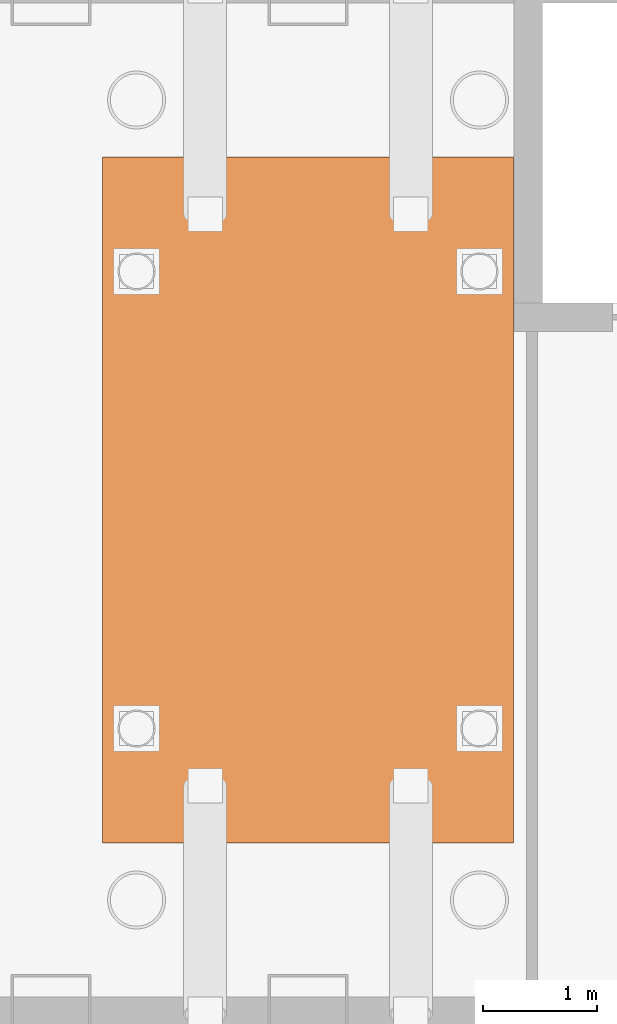
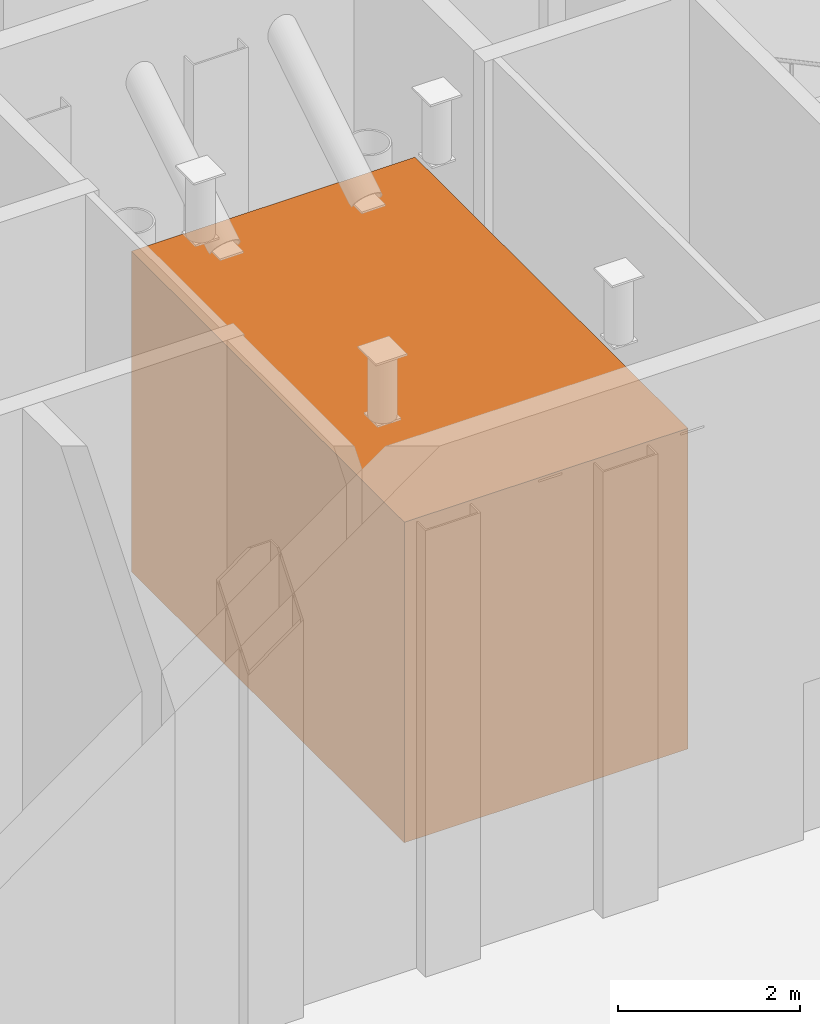
# One storey, part 15 of 15: 1 proxy.
"""IFC4 building model written with IfcOpenShell, lengths in metres."""

from ifc_helpers import new_model, si_unit, direction, frame, origin, origin_2d, place, context, subcontext, project, spatial, rectangle, extrude, material, layer, layer_set, type_object, element, save


model = new_model("IFC4")

# Units and contexts
model_context = context("Model", 3, precision=1e-05, world=origin(), true_north=direction((0.0, 1.0)))
body_context = subcontext(model_context, "Body", "Model", "MODEL_VIEW")
ifc_project = project(units=[si_unit("LENGTHUNIT", "METRE"), si_unit("AREAUNIT", "SQUARE_METRE"), si_unit("VOLUMEUNIT", "CUBIC_METRE"), si_unit("PLANEANGLEUNIT", "RADIAN"), si_unit("MASSUNIT", "GRAM", prefix="KILO")], contexts=[model_context])

# Site, building, storey
site_placement = place(None, origin())
site = spatial("IfcSite", under=ifc_project, at=site_placement, CompositionType="ELEMENT")
building_placement = place(site_placement, origin())
building = spatial("IfcBuilding", under=site, at=building_placement, Name="Caravel Reach Hotel and Residences", CompositionType="ELEMENT")
storey_placement = place(building_placement, frame((0.0, 0.0, 305.60009765625)))
storey = spatial("IfcBuildingStorey", under=building, at=storey_placement, Name="L78", CompositionType="ELEMENT", Elevation=305.60009765625)

# Proxy
ifc_material = material(Name="Structural steel Q355B", Category="steel")
ifc_layer = layer(ifc_material, 4.300048828125)
ifc_layer_set = layer_set([ifc_layer], Name="Damper mass 3600x6000")
building_element_proxy_type = type_object("IfcBuildingElementProxyType", Name="Damper mass 3600x6000", PredefinedType="NOTDEFINED", material=ifc_layer_set)
proxy_placement = place(storey_placement, frame((36.0, 27.0, 0.39990234375), z_axis=(0.0, 0.0, 1.0), x_axis=(1.0, 0.0, 0.0)))
element("IfcBuildingElementProxy", 1, at=proxy_placement, inside=storey, type_object=building_element_proxy_type, Name="Tuned mass damper TMD1 mass", PredefinedType="NOTDEFINED", context=body_context, shape_type="SweptSolid", body=[
    extrude(rectangle(XDim=3.60009765625, YDim=6.0, at=origin_2d()), origin(), (0.0, 0.0, 1.0), 4.300048828125),
])

save(model, "model.ifc")
